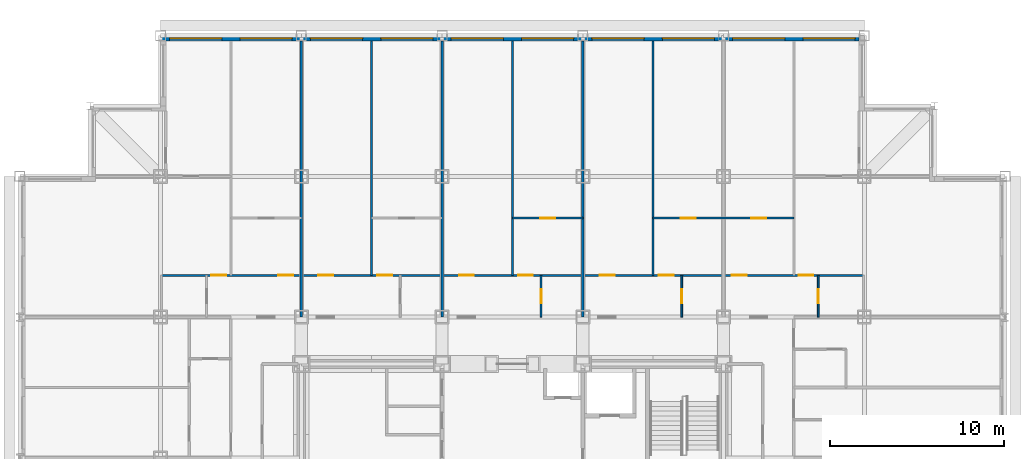
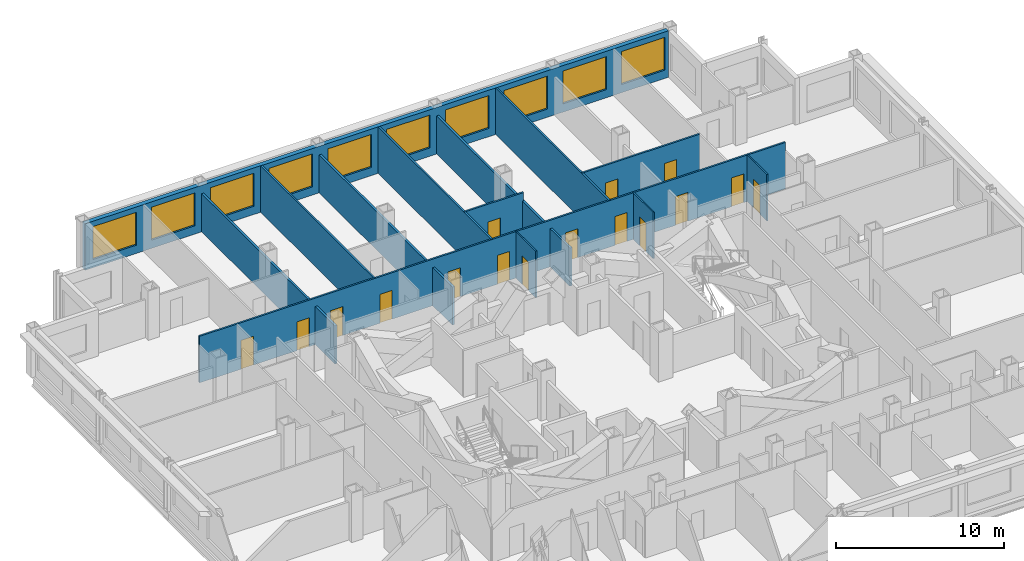
# One storey, part 10 of 12: 16 doors, 13 walls, 10 windows, 26 openings.
"""IFC4 building model written with IfcOpenShell, lengths in metres."""

from ifc_helpers import new_model, si_unit, direction, frame, frame_2d, origin, place, context, subcontext, project, spatial, rectangle, extrude, material, layer, layer_set, type_object, element, fill, save


model = new_model("IFC4")

# Units and contexts
model_context = context("Model", 3, precision=1e-05, world=origin(), true_north=direction((0.0, 1.0)))
body_context = subcontext(model_context, "Body", "Model", "MODEL_VIEW")
ifc_project = project(units=[si_unit("LENGTHUNIT", "METRE"), si_unit("AREAUNIT", "SQUARE_METRE"), si_unit("VOLUMEUNIT", "CUBIC_METRE"), si_unit("PLANEANGLEUNIT", "RADIAN"), si_unit("MASSUNIT", "GRAM", prefix="KILO")], contexts=[model_context])

# Site, building, storey
site_placement = place(None, origin())
site = spatial("IfcSite", under=ifc_project, at=site_placement, CompositionType="ELEMENT")
building_placement = place(site_placement, origin())
building = spatial("IfcBuilding", under=site, at=building_placement, Name="Kopane Lantern Tower", CompositionType="ELEMENT")
storey_placement = place(building_placement, frame((0.0, 0.0, 174.0)))
storey = spatial("IfcBuildingStorey", under=building, at=storey_placement, Name="L44", CompositionType="ELEMENT", Elevation=174.0)

# Walls
ifc_material_1 = material(Name="Gypsum board on steel studs", Category="steel")
ifc_layer_1 = layer(ifc_material_1, 0.1201171875)
ifc_layer_set_1 = layer_set([ifc_layer_1], Name="APARTMENT INTERNAL WALL 120")
wall_type_1 = type_object("IfcWallType", Name="APARTMENT INTERNAL WALL 120", PredefinedType="PARTITIONING", material=ifc_layer_set_1)
for number, where, z_axis, x_axis, name in (
    (1, (20.25, 45.60009765625, 0.0), (0.0, 0.0, 1.0), (0.0, 1.0, 0.0), "Apartment Internal Wall 120 L44"),
    (2, (28.35009765625, 45.60009765625, 0.0), (0.0, 0.0, 1.0), (0.0, 1.0, 0.0), "Apartment Internal Wall 120 L44"),
    (3, (36.449951171875, 45.60009765625, 0.0), (0.0, 0.0, 1.0), (0.0, 1.0, 0.0), "Apartment Internal Wall 120 L44"),
):
    element("IfcWall", number, at=place(storey_placement, frame(where, z_axis=z_axis, x_axis=x_axis)), inside=storey, type_object=wall_type_1, Name=name, PredefinedType="PARTITIONING", context=body_context, shape_type="SweptSolid", body=[
        extrude(rectangle(XDim=13.5, YDim=0.1201171875, at=frame_2d((6.75, 0.0))), origin(), (0.0, 0.0, 1.0), 3.389892578125),
    ])

# Wall, openings, doors
wall_1_placement = place(storey_placement, frame((8.14990234375, 45.60009765625, 0.0), z_axis=(0.0, 0.0, 1.0), x_axis=(1.0, 0.0, 0.0)))
wall_1 = element("IfcWall", 4, at=wall_1_placement, inside=storey, type_object=wall_type_1, Name="Apartment Internal Wall 120 L44", PredefinedType="PARTITIONING", context=body_context, shape_type="SweptSolid", body=[
    extrude(rectangle(XDim=40.400146484375, YDim=0.1201171875, at=frame_2d((20.2001953125, 0.0))), origin(), (0.0, 0.0, 1.0), 3.389892578125),
])
opening_1_placement = place(wall_1_placement, frame((9.02490234375, 0.0, 0.0)))
opening_1 = element("IfcOpeningElement", 5, at=opening_1_placement, cuts=wall_1, Name="Opening L44-022", PredefinedType="OPENING", context=body_context, shape_type="SweptSolid", body=[
    extrude(rectangle(XDim=0.85009765625, YDim=2.10009765625, at=frame_2d((0.425048828125, 1.050048828125))), frame((0.0, 0.070068359375, 0.0), z_axis=(0.0, -1.0, 0.0), x_axis=(1.0, 0.0, 0.0)), (0.0, 0.0, 1.0), 0.14013671875),
])
opening_2_placement = place(wall_1_placement, frame((12.425048828125, 0.0, 0.0)))
opening_2 = element("IfcOpeningElement", 6, at=opening_2_placement, cuts=wall_1, Name="Opening L44-023", PredefinedType="OPENING", context=body_context, shape_type="SweptSolid", body=[
    extrude(rectangle(XDim=0.85009765625, YDim=2.10009765625, at=frame_2d((0.425048828125, 1.050048828125))), frame((0.0, 0.070068359375, 0.0), z_axis=(0.0, -1.0, 0.0), x_axis=(1.0, 0.0, 0.0)), (0.0, 0.0, 1.0), 0.14013671875),
])
opening_3_placement = place(wall_1_placement, frame((17.125, 0.0, 0.0)))
opening_3 = element("IfcOpeningElement", 7, at=opening_3_placement, cuts=wall_1, Name="Opening L44-026", PredefinedType="OPENING", context=body_context, shape_type="SweptSolid", body=[
    extrude(rectangle(XDim=0.85009765625, YDim=2.10009765625, at=frame_2d((0.425048828125, 1.050048828125))), frame((0.0, 0.070068359375, 0.0), z_axis=(0.0, -1.0, 0.0), x_axis=(1.0, 0.0, 0.0)), (0.0, 0.0, 1.0), 0.14013671875),
])
opening_4_placement = place(wall_1_placement, frame((20.52490234375, 0.0, 0.0)))
opening_4 = element("IfcOpeningElement", 8, at=opening_4_placement, cuts=wall_1, Name="Opening L44-027", PredefinedType="OPENING", context=body_context, shape_type="SweptSolid", body=[
    extrude(rectangle(XDim=0.85009765625, YDim=2.10009765625, at=frame_2d((0.425048828125, 1.050048828125))), frame((0.0, 0.070068359375, 0.0), z_axis=(0.0, -1.0, 0.0), x_axis=(1.0, 0.0, 0.0)), (0.0, 0.0, 1.0), 0.14013671875),
])
opening_5_placement = place(wall_1_placement, frame((25.22509765625, 0.0, 0.0)))
opening_5 = element("IfcOpeningElement", 9, at=opening_5_placement, cuts=wall_1, Name="Opening L44-030", PredefinedType="OPENING", context=body_context, shape_type="SweptSolid", body=[
    extrude(rectangle(XDim=0.85009765625, YDim=2.10009765625, at=frame_2d((0.425048828125, 1.050048828125))), frame((0.0, 0.070068359375, 0.0), z_axis=(0.0, -1.0, 0.0), x_axis=(1.0, 0.0, 0.0)), (0.0, 0.0, 1.0), 0.14013671875),
])
opening_6_placement = place(wall_1_placement, frame((28.625, 0.0, 0.0)))
opening_6 = element("IfcOpeningElement", 10, at=opening_6_placement, cuts=wall_1, Name="Opening L44-031", PredefinedType="OPENING", context=body_context, shape_type="SweptSolid", body=[
    extrude(rectangle(XDim=0.85009765625, YDim=2.10009765625, at=frame_2d((0.425048828125, 1.050048828125))), frame((0.0, 0.070068359375, 0.0), z_axis=(0.0, -1.0, 0.0), x_axis=(1.0, 0.0, 0.0)), (0.0, 0.0, 1.0), 0.14013671875),
])
opening_7_placement = place(wall_1_placement, frame((32.824951171875, 0.0, 0.0)))
opening_7 = element("IfcOpeningElement", 11, at=opening_7_placement, cuts=wall_1, Name="Opening L44-063", PredefinedType="OPENING", context=body_context, shape_type="SweptSolid", body=[
    extrude(rectangle(XDim=0.85009765625, YDim=2.10009765625, at=frame_2d((0.425048828125, 1.050048828125))), frame((0.0, 0.070068359375, 0.0), z_axis=(0.0, -1.0, 0.0), x_axis=(1.0, 0.0, 0.0)), (0.0, 0.0, 1.0), 0.14013671875),
])
opening_8_placement = place(wall_1_placement, frame((36.675048828125, 0.0, 0.0)))
opening_8 = element("IfcOpeningElement", 12, at=opening_8_placement, cuts=wall_1, Name="Opening L44-065", PredefinedType="OPENING", context=body_context, shape_type="SweptSolid", body=[
    extrude(rectangle(XDim=0.85009765625, YDim=2.10009765625, at=frame_2d((0.425048828125, 1.050048828125))), frame((0.0, 0.070068359375, 0.0), z_axis=(0.0, -1.0, 0.0), x_axis=(1.0, 0.0, 0.0)), (0.0, 0.0, 1.0), 0.14013671875),
])
opening_9_placement = place(wall_1_placement, frame((6.72509765625, 0.0, 0.0)))
opening_9 = element("IfcOpeningElement", 13, at=opening_9_placement, cuts=wall_1, Name="Opening L44-068", PredefinedType="OPENING", context=body_context, shape_type="SweptSolid", body=[
    extrude(rectangle(XDim=0.85009765625, YDim=2.10009765625, at=frame_2d((0.425048828125, 1.050048828125))), frame((0.0, 0.070068359375, 0.0), z_axis=(0.0, -1.0, 0.0), x_axis=(1.0, 0.0, 0.0)), (0.0, 0.0, 1.0), 0.14013671875),
])
opening_10_placement = place(wall_1_placement, frame((2.875, 0.0, 0.0)))
opening_10 = element("IfcOpeningElement", 14, at=opening_10_placement, cuts=wall_1, Name="Opening L44-070", PredefinedType="OPENING", context=body_context, shape_type="SweptSolid", body=[
    extrude(rectangle(XDim=0.85009765625, YDim=2.10009765625, at=frame_2d((0.425048828125, 1.050048828125))), frame((0.0, 0.070068359375, 0.0), z_axis=(0.0, -1.0, 0.0), x_axis=(1.0, 0.0, 0.0)), (0.0, 0.0, 1.0), 0.14013671875),
])
ifc_material_2 = material(Name="Timber door set", Category="wood")
door_type_1 = type_object("IfcDoorType", Name="DOOR D4 850x2100", OperationType="SINGLE_SWING_LEFT", PredefinedType="DOOR", material=ifc_material_2)
door_1_placement = place(opening_1_placement, origin())
door_1 = element("IfcDoor", 15, at=door_1_placement, inside=storey, type_object=door_type_1, Name="Door L44-022", OperationType="SINGLE_SWING_RIGHT", OverallHeight=2.10009765625, OverallWidth=0.85009765625, PredefinedType="DOOR", context=body_context, shape_type="SweptSolid", body=[
    extrude(rectangle(XDim=0.85009765625, YDim=2.10009765625, at=frame_2d((0.425048828125, 1.050048828125))), frame((0.0, 0.02490234375, 0.0), z_axis=(0.0, -1.0, 0.0), x_axis=(1.0, 0.0, 0.0)), (0.0, 0.0, 1.0), 0.050048828125),
])
fill(opening_1, door_1)
door_2_placement = place(opening_2_placement, origin())
door_2 = element("IfcDoor", 16, at=door_2_placement, inside=storey, type_object=door_type_1, Name="Door L44-023", OperationType="SINGLE_SWING_LEFT", OverallHeight=2.10009765625, OverallWidth=0.85009765625, PredefinedType="DOOR", context=body_context, shape_type="SweptSolid", body=[
    extrude(rectangle(XDim=0.85009765625, YDim=2.10009765625, at=frame_2d((0.425048828125, 1.050048828125))), frame((0.0, 0.02490234375, 0.0), z_axis=(0.0, -1.0, 0.0), x_axis=(1.0, 0.0, 0.0)), (0.0, 0.0, 1.0), 0.050048828125),
])
fill(opening_2, door_2)
door_3_placement = place(opening_3_placement, origin())
door_3 = element("IfcDoor", 17, at=door_3_placement, inside=storey, type_object=door_type_1, Name="Door L44-026", OperationType="SINGLE_SWING_RIGHT", OverallHeight=2.10009765625, OverallWidth=0.85009765625, PredefinedType="DOOR", context=body_context, shape_type="SweptSolid", body=[
    extrude(rectangle(XDim=0.85009765625, YDim=2.10009765625, at=frame_2d((0.425048828125, 1.050048828125))), frame((0.0, 0.02490234375, 0.0), z_axis=(0.0, -1.0, 0.0), x_axis=(1.0, 0.0, 0.0)), (0.0, 0.0, 1.0), 0.050048828125),
])
fill(opening_3, door_3)
door_4_placement = place(opening_4_placement, origin())
door_4 = element("IfcDoor", 18, at=door_4_placement, inside=storey, type_object=door_type_1, Name="Door L44-027", OperationType="SINGLE_SWING_LEFT", OverallHeight=2.10009765625, OverallWidth=0.85009765625, PredefinedType="DOOR", context=body_context, shape_type="SweptSolid", body=[
    extrude(rectangle(XDim=0.85009765625, YDim=2.10009765625, at=frame_2d((0.425048828125, 1.050048828125))), frame((0.0, 0.02490234375, 0.0), z_axis=(0.0, -1.0, 0.0), x_axis=(1.0, 0.0, 0.0)), (0.0, 0.0, 1.0), 0.050048828125),
])
fill(opening_4, door_4)
door_5_placement = place(opening_5_placement, origin())
door_5 = element("IfcDoor", 19, at=door_5_placement, inside=storey, type_object=door_type_1, Name="Door L44-030", OperationType="SINGLE_SWING_RIGHT", OverallHeight=2.10009765625, OverallWidth=0.85009765625, PredefinedType="DOOR", context=body_context, shape_type="SweptSolid", body=[
    extrude(rectangle(XDim=0.85009765625, YDim=2.10009765625, at=frame_2d((0.425048828125, 1.050048828125))), frame((0.0, 0.02490234375, 0.0), z_axis=(0.0, -1.0, 0.0), x_axis=(1.0, 0.0, 0.0)), (0.0, 0.0, 1.0), 0.050048828125),
])
fill(opening_5, door_5)
door_6_placement = place(opening_6_placement, origin())
door_6 = element("IfcDoor", 20, at=door_6_placement, inside=storey, type_object=door_type_1, Name="Door L44-031", OperationType="SINGLE_SWING_LEFT", OverallHeight=2.10009765625, OverallWidth=0.85009765625, PredefinedType="DOOR", context=body_context, shape_type="SweptSolid", body=[
    extrude(rectangle(XDim=0.85009765625, YDim=2.10009765625, at=frame_2d((0.425048828125, 1.050048828125))), frame((0.0, 0.02490234375, 0.0), z_axis=(0.0, -1.0, 0.0), x_axis=(1.0, 0.0, 0.0)), (0.0, 0.0, 1.0), 0.050048828125),
])
fill(opening_6, door_6)
door_7_placement = place(opening_7_placement, origin())
door_7 = element("IfcDoor", 21, at=door_7_placement, inside=storey, type_object=door_type_1, Name="Door L44-063", OperationType="SINGLE_SWING_RIGHT", OverallHeight=2.10009765625, OverallWidth=0.85009765625, PredefinedType="DOOR", context=body_context, shape_type="SweptSolid", body=[
    extrude(rectangle(XDim=0.85009765625, YDim=2.10009765625, at=frame_2d((0.425048828125, 1.050048828125))), frame((0.0, 0.02490234375, 0.0), z_axis=(0.0, -1.0, 0.0), x_axis=(1.0, 0.0, 0.0)), (0.0, 0.0, 1.0), 0.050048828125),
])
fill(opening_7, door_7)
door_8_placement = place(opening_8_placement, origin())
door_8 = element("IfcDoor", 22, at=door_8_placement, inside=storey, type_object=door_type_1, Name="Door L44-065", OperationType="SINGLE_SWING_LEFT", OverallHeight=2.10009765625, OverallWidth=0.85009765625, PredefinedType="DOOR", context=body_context, shape_type="SweptSolid", body=[
    extrude(rectangle(XDim=0.85009765625, YDim=2.10009765625, at=frame_2d((0.425048828125, 1.050048828125))), frame((0.0, 0.02490234375, 0.0), z_axis=(0.0, -1.0, 0.0), x_axis=(1.0, 0.0, 0.0)), (0.0, 0.0, 1.0), 0.050048828125),
])
fill(opening_8, door_8)
door_9_placement = place(opening_9_placement, origin())
door_9 = element("IfcDoor", 23, at=door_9_placement, inside=storey, type_object=door_type_1, Name="Door L44-068", OperationType="SINGLE_SWING_LEFT", OverallHeight=2.10009765625, OverallWidth=0.85009765625, PredefinedType="DOOR", context=body_context, shape_type="SweptSolid", body=[
    extrude(rectangle(XDim=0.85009765625, YDim=2.10009765625, at=frame_2d((0.425048828125, 1.050048828125))), frame((0.0, 0.02490234375, 0.0), z_axis=(0.0, -1.0, 0.0), x_axis=(1.0, 0.0, 0.0)), (0.0, 0.0, 1.0), 0.050048828125),
])
fill(opening_9, door_9)
door_10_placement = place(opening_10_placement, origin())
door_10 = element("IfcDoor", 24, at=door_10_placement, inside=storey, type_object=door_type_1, Name="Door L44-070", OperationType="SINGLE_SWING_RIGHT", OverallHeight=2.10009765625, OverallWidth=0.85009765625, PredefinedType="DOOR", context=body_context, shape_type="SweptSolid", body=[
    extrude(rectangle(XDim=0.85009765625, YDim=2.10009765625, at=frame_2d((0.425048828125, 1.050048828125))), frame((0.0, 0.02490234375, 0.0), z_axis=(0.0, -1.0, 0.0), x_axis=(1.0, 0.0, 0.0)), (0.0, 0.0, 1.0), 0.050048828125),
])
fill(opening_10, door_10)

# Wall, opening, door
wall_2_placement = place(storey_placement, frame((28.35009765625, 48.89990234375, 0.0), z_axis=(0.0, 0.0, 1.0), x_axis=(1.0, 0.0, 0.0)))
wall_2 = element("IfcWall", 25, at=wall_2_placement, inside=storey, type_object=wall_type_1, Name="Apartment Internal Wall 120 L44", PredefinedType="PARTITIONING", context=body_context, shape_type="SweptSolid", body=[
    extrude(rectangle(XDim=4.0498046875, YDim=0.1201171875, at=frame_2d((2.02490234375, 0.0))), origin(), (0.0, 0.0, 1.0), 3.389892578125),
])
opening_11_placement = place(wall_2_placement, frame((1.60009765625, 0.0, 0.0)))
opening_11 = element("IfcOpeningElement", 26, at=opening_11_placement, cuts=wall_2, Name="Opening L44-075", PredefinedType="OPENING", context=body_context, shape_type="SweptSolid", body=[
    extrude(rectangle(XDim=0.85009765625, YDim=2.10009765625, at=frame_2d((0.425048828125, 1.050048828125))), frame((0.0, 0.070068359375, 0.0), z_axis=(0.0, -1.0, 0.0), x_axis=(1.0, 0.0, 0.0)), (0.0, 0.0, 1.0), 0.14013671875),
])
door_11_placement = place(opening_11_placement, origin())
door_11 = element("IfcDoor", 27, at=door_11_placement, inside=storey, type_object=door_type_1, Name="Door L44-075", OperationType="SINGLE_SWING_RIGHT", OverallHeight=2.10009765625, OverallWidth=0.85009765625, PredefinedType="DOOR", context=body_context, shape_type="SweptSolid", body=[
    extrude(rectangle(XDim=0.85009765625, YDim=2.10009765625, at=frame_2d((0.425048828125, 1.050048828125))), frame((0.0, 0.02490234375, 0.0), z_axis=(0.0, -1.0, 0.0), x_axis=(1.0, 0.0, 0.0)), (0.0, 0.0, 1.0), 0.050048828125),
])
fill(opening_11, door_11)

# Wall, openings, doors
wall_3_placement = place(storey_placement, frame((36.449951171875, 48.89990234375, 0.0), z_axis=(0.0, 0.0, 1.0), x_axis=(1.0, 0.0, 0.0)))
wall_3 = element("IfcWall", 28, at=wall_3_placement, inside=storey, type_object=wall_type_1, Name="Apartment Internal Wall 120 L44", PredefinedType="PARTITIONING", context=body_context, shape_type="SweptSolid", body=[
    extrude(rectangle(XDim=8.10009765625, YDim=0.1201171875, at=frame_2d((4.050048828125, 0.0))), origin(), (0.0, 0.0, 1.0), 3.389892578125),
])
opening_12_placement = place(wall_3_placement, frame((1.60009765625, 0.0, 0.0)))
opening_12 = element("IfcOpeningElement", 29, at=opening_12_placement, cuts=wall_3, Name="Opening L44-076", PredefinedType="OPENING", context=body_context, shape_type="SweptSolid", body=[
    extrude(rectangle(XDim=0.85009765625, YDim=2.10009765625, at=frame_2d((0.425048828125, 1.050048828125))), frame((0.0, 0.070068359375, 0.0), z_axis=(0.0, -1.0, 0.0), x_axis=(1.0, 0.0, 0.0)), (0.0, 0.0, 1.0), 0.14013671875),
])
opening_13_placement = place(wall_3_placement, frame((5.64990234375, 0.0, 0.0)))
opening_13 = element("IfcOpeningElement", 30, at=opening_13_placement, cuts=wall_3, Name="Opening L44-077", PredefinedType="OPENING", context=body_context, shape_type="SweptSolid", body=[
    extrude(rectangle(XDim=0.85009765625, YDim=2.10009765625, at=frame_2d((0.425048828125, 1.050048828125))), frame((0.0, 0.070068359375, 0.0), z_axis=(0.0, -1.0, 0.0), x_axis=(1.0, 0.0, 0.0)), (0.0, 0.0, 1.0), 0.14013671875),
])
door_12_placement = place(opening_12_placement, origin())
door_12 = element("IfcDoor", 31, at=door_12_placement, inside=storey, type_object=door_type_1, Name="Door L44-076", OperationType="SINGLE_SWING_RIGHT", OverallHeight=2.10009765625, OverallWidth=0.85009765625, PredefinedType="DOOR", context=body_context, shape_type="SweptSolid", body=[
    extrude(rectangle(XDim=0.85009765625, YDim=2.10009765625, at=frame_2d((0.425048828125, 1.050048828125))), frame((0.0, 0.02490234375, 0.0), z_axis=(0.0, -1.0, 0.0), x_axis=(1.0, 0.0, 0.0)), (0.0, 0.0, 1.0), 0.050048828125),
])
fill(opening_12, door_12)
door_13_placement = place(opening_13_placement, origin())
door_13 = element("IfcDoor", 32, at=door_13_placement, inside=storey, type_object=door_type_1, Name="Door L44-077", OperationType="SINGLE_SWING_LEFT", OverallHeight=2.10009765625, OverallWidth=0.85009765625, PredefinedType="DOOR", context=body_context, shape_type="SweptSolid", body=[
    extrude(rectangle(XDim=0.85009765625, YDim=2.10009765625, at=frame_2d((0.425048828125, 1.050048828125))), frame((0.0, 0.02490234375, 0.0), z_axis=(0.0, -1.0, 0.0), x_axis=(1.0, 0.0, 0.0)), (0.0, 0.0, 1.0), 0.050048828125),
])
fill(opening_13, door_13)

# Wall, opening, door
ifc_material_3 = material(Name="Moisture-resistant board on steel studs", Category="steel")
ifc_layer_2 = layer(ifc_material_3, 0.10009765625)
ifc_layer_set_2 = layer_set([ifc_layer_2], Name="BATHROOM WALL 100")
wall_type_2 = type_object("IfcWallType", Name="BATHROOM WALL 100", PredefinedType="PARTITIONING", material=ifc_layer_set_2)
wall_4_placement = place(storey_placement, frame((30.0, 43.199951171875, 0.0), z_axis=(0.0, 0.0, 1.0), x_axis=(0.0, 1.0, 0.0)))
wall_4 = element("IfcWall", 33, at=wall_4_placement, inside=storey, type_object=wall_type_2, Name="Bathroom Wall 100 L44", PredefinedType="PARTITIONING", context=body_context, shape_type="SweptSolid", body=[
    extrude(rectangle(XDim=2.400146484375, YDim=0.10009765625, at=frame_2d((1.2001953125, 0.0))), origin(), (0.0, 0.0, 1.0), 3.389892578125),
])
opening_14_placement = place(wall_4_placement, frame((0.800048828125, 0.0, 0.0)))
opening_14 = element("IfcOpeningElement", 34, at=opening_14_placement, cuts=wall_4, Name="Opening L44-024", PredefinedType="OPENING", context=body_context, shape_type="SweptSolid", body=[
    extrude(rectangle(XDim=0.800048828125, YDim=2.10009765625, at=frame_2d((0.39990234375, 1.050048828125))), frame((0.0, 0.06005859375, 0.0), z_axis=(0.0, -1.0, 0.0), x_axis=(1.0, 0.0, 0.0)), (0.0, 0.0, 1.0), 0.1201171875),
])
ifc_material_4 = material(Name="Timber door set", Category="wood")
door_type_2 = type_object("IfcDoorType", Name="DOOR D2 800x2100", OperationType="SINGLE_SWING_LEFT", PredefinedType="DOOR", material=ifc_material_4)
door_14_placement = place(opening_14_placement, origin())
door_14 = element("IfcDoor", 35, at=door_14_placement, inside=storey, type_object=door_type_2, Name="Door L44-024", OperationType="SINGLE_SWING_RIGHT", OverallHeight=2.10009765625, OverallWidth=0.800048828125, PredefinedType="DOOR", context=body_context, shape_type="SweptSolid", body=[
    extrude(rectangle(XDim=0.800048828125, YDim=2.10009765625, at=frame_2d((0.39990234375, 1.050048828125))), frame((0.0, 0.02490234375, 0.0), z_axis=(0.0, -1.0, 0.0), x_axis=(1.0, 0.0, 0.0)), (0.0, 0.0, 1.0), 0.050048828125),
])
fill(opening_14, door_14)

wall_5_placement = place(storey_placement, frame((38.10009765625, 43.199951171875, 0.0), z_axis=(0.0, 0.0, 1.0), x_axis=(0.0, 1.0, 0.0)))
wall_5 = element("IfcWall", 36, at=wall_5_placement, inside=storey, type_object=wall_type_2, Name="Bathroom Wall 100 L44", PredefinedType="PARTITIONING", context=body_context, shape_type="SweptSolid", body=[
    extrude(rectangle(XDim=2.400146484375, YDim=0.10009765625, at=frame_2d((1.2001953125, 0.0))), origin(), (0.0, 0.0, 1.0), 3.389892578125),
])
opening_15_placement = place(wall_5_placement, frame((0.800048828125, 0.0, 0.0)))
opening_15 = element("IfcOpeningElement", 37, at=opening_15_placement, cuts=wall_5, Name="Opening L44-028", PredefinedType="OPENING", context=body_context, shape_type="SweptSolid", body=[
    extrude(rectangle(XDim=0.800048828125, YDim=2.10009765625, at=frame_2d((0.39990234375, 1.050048828125))), frame((0.0, 0.06005859375, 0.0), z_axis=(0.0, -1.0, 0.0), x_axis=(1.0, 0.0, 0.0)), (0.0, 0.0, 1.0), 0.1201171875),
])
door_15_placement = place(opening_15_placement, origin())
door_15 = element("IfcDoor", 38, at=door_15_placement, inside=storey, type_object=door_type_2, Name="Door L44-028", OperationType="SINGLE_SWING_RIGHT", OverallHeight=2.10009765625, OverallWidth=0.800048828125, PredefinedType="DOOR", context=body_context, shape_type="SweptSolid", body=[
    extrude(rectangle(XDim=0.800048828125, YDim=2.10009765625, at=frame_2d((0.39990234375, 1.050048828125))), frame((0.0, 0.02490234375, 0.0), z_axis=(0.0, -1.0, 0.0), x_axis=(1.0, 0.0, 0.0)), (0.0, 0.0, 1.0), 0.050048828125),
])
fill(opening_15, door_15)

wall_6_placement = place(storey_placement, frame((45.949951171875, 43.199951171875, 0.0), z_axis=(0.0, 0.0, 1.0), x_axis=(0.0, 1.0, 0.0)))
wall_6 = element("IfcWall", 39, at=wall_6_placement, inside=storey, type_object=wall_type_2, Name="Bathroom Wall 100 L44", PredefinedType="PARTITIONING", context=body_context, shape_type="SweptSolid", body=[
    extrude(rectangle(XDim=2.400146484375, YDim=0.10009765625, at=frame_2d((1.2001953125, 0.0))), origin(), (0.0, 0.0, 1.0), 3.389892578125),
])
opening_16_placement = place(wall_6_placement, frame((0.800048828125, 0.0, 0.0)))
opening_16 = element("IfcOpeningElement", 40, at=opening_16_placement, cuts=wall_6, Name="Opening L44-064", PredefinedType="OPENING", context=body_context, shape_type="SweptSolid", body=[
    extrude(rectangle(XDim=0.800048828125, YDim=2.10009765625, at=frame_2d((0.39990234375, 1.050048828125))), frame((0.0, 0.06005859375, 0.0), z_axis=(0.0, -1.0, 0.0), x_axis=(1.0, 0.0, 0.0)), (0.0, 0.0, 1.0), 0.1201171875),
])
door_16_placement = place(opening_16_placement, origin())
door_16 = element("IfcDoor", 41, at=door_16_placement, inside=storey, type_object=door_type_2, Name="Door L44-064", OperationType="SINGLE_SWING_RIGHT", OverallHeight=2.10009765625, OverallWidth=0.800048828125, PredefinedType="DOOR", context=body_context, shape_type="SweptSolid", body=[
    extrude(rectangle(XDim=0.800048828125, YDim=2.10009765625, at=frame_2d((0.39990234375, 1.050048828125))), frame((0.0, 0.02490234375, 0.0), z_axis=(0.0, -1.0, 0.0), x_axis=(1.0, 0.0, 0.0)), (0.0, 0.0, 1.0), 0.050048828125),
])
fill(opening_16, door_16)

# Walls
ifc_material_5 = material(Name="Gypsum board on steel studs", Category="steel")
ifc_layer_3 = layer(ifc_material_5, 0.14990234375)
ifc_layer_set_3 = layer_set([ifc_layer_3], Name="DEMISING WALL 150 EI 60")
wall_type_3 = type_object("IfcWallType", Name="DEMISING WALL 150 EI 60", PredefinedType="PARTITIONING", material=ifc_layer_set_3)
for number, where, z_axis, x_axis, name in (
    (42, (24.300048828125, 43.199951171875, 0.0), (0.0, 0.0, 1.0), (0.0, 1.0, 0.0), "Demising Wall 150 Ei 60 L44"),
    (43, (32.39990234375, 43.199951171875, 0.0), (0.0, 0.0, 1.0), (0.0, 1.0, 0.0), "Demising Wall 150 Ei 60 L44"),
    (44, (16.199951171875, 43.199951171875, 0.0), (0.0, 0.0, 1.0), (0.0, 1.0, 0.0), "Demising Wall 150 Ei 60 L44"),
):
    element("IfcWall", number, at=place(storey_placement, frame(where, z_axis=z_axis, x_axis=x_axis)), inside=storey, type_object=wall_type_3, Name=name, PredefinedType="PARTITIONING", context=body_context, shape_type="SweptSolid", body=[
        extrude(rectangle(XDim=15.900146484375, YDim=0.14990234375, at=frame_2d((7.9501953125, 0.0))), origin(), (0.0, 0.0, 1.0), 2.77783203125),
    ])

# Wall, openings, windows
ifc_material_6 = material(Name="Terracotta rainscreen on light steel framing", Category="masonry")
ifc_layer_4 = layer(ifc_material_6, 0.300048828125)
ifc_layer_set_4 = layer_set([ifc_layer_4], Name="EXTERNAL WALL EW1 300 TERRACOTTA")
wall_type_4 = type_object("IfcWallType", Name="EXTERNAL WALL EW1 300 TERRACOTTA", PredefinedType="SOLIDWALL", material=ifc_layer_set_4)
wall_7_placement = place(storey_placement, frame((48.300048828125, 59.25, 0.0), z_axis=(0.0, 0.0, 1.0), x_axis=(-1.0, 0.0, 0.0)))
wall_7 = element("IfcWall", 45, at=wall_7_placement, inside=storey, type_object=wall_type_4, Name="External wall N L44", PredefinedType="SOLIDWALL", context=body_context, shape_type="SweptSolid", body=[
    extrude(rectangle(XDim=40.199951171875, YDim=0.300048828125, at=frame_2d((20.10009765625, 0.0))), origin(), (0.0, 0.0, 1.0), 3.389892578125),
])
opening_17_placement = place(wall_7_placement, frame((0.22509765625, 0.0, 0.60009765625)))
opening_17 = element("IfcOpeningElement", 46, at=opening_17_placement, cuts=wall_7, Name="Opening WR300240", PredefinedType="OPENING", context=body_context, shape_type="SweptSolid", body=[
    extrude(rectangle(XDim=3.0, YDim=2.39990234375, at=frame_2d((1.5, 1.199951171875))), frame((0.0, 0.159912109375, 0.0), z_axis=(0.0, -1.0, 0.0), x_axis=(1.0, 0.0, 0.0)), (0.0, 0.0, 1.0), 0.320068359375),
])
opening_18_placement = place(wall_7_placement, frame((4.27490234375, 0.0, 0.60009765625)))
opening_18 = element("IfcOpeningElement", 47, at=opening_18_placement, cuts=wall_7, Name="Opening WR300240", PredefinedType="OPENING", context=body_context, shape_type="SweptSolid", body=[
    extrude(rectangle(XDim=3.0, YDim=2.39990234375, at=frame_2d((1.5, 1.199951171875))), frame((0.0, 0.159912109375, 0.0), z_axis=(0.0, -1.0, 0.0), x_axis=(1.0, 0.0, 0.0)), (0.0, 0.0, 1.0), 0.320068359375),
])
opening_19_placement = place(wall_7_placement, frame((8.324951171875, 0.0, 0.60009765625)))
opening_19 = element("IfcOpeningElement", 48, at=opening_19_placement, cuts=wall_7, Name="Opening WR300240", PredefinedType="OPENING", context=body_context, shape_type="SweptSolid", body=[
    extrude(rectangle(XDim=3.0, YDim=2.39990234375, at=frame_2d((1.5, 1.199951171875))), frame((0.0, 0.159912109375, 0.0), z_axis=(0.0, -1.0, 0.0), x_axis=(1.0, 0.0, 0.0)), (0.0, 0.0, 1.0), 0.320068359375),
])
opening_20_placement = place(wall_7_placement, frame((12.375, 0.0, 0.60009765625)))
opening_20 = element("IfcOpeningElement", 49, at=opening_20_placement, cuts=wall_7, Name="Opening WR300240", PredefinedType="OPENING", context=body_context, shape_type="SweptSolid", body=[
    extrude(rectangle(XDim=3.0, YDim=2.39990234375, at=frame_2d((1.5, 1.199951171875))), frame((0.0, 0.159912109375, 0.0), z_axis=(0.0, -1.0, 0.0), x_axis=(1.0, 0.0, 0.0)), (0.0, 0.0, 1.0), 0.320068359375),
])
opening_21_placement = place(wall_7_placement, frame((16.425048828125, 0.0, 0.60009765625)))
opening_21 = element("IfcOpeningElement", 50, at=opening_21_placement, cuts=wall_7, Name="Opening WR300240", PredefinedType="OPENING", context=body_context, shape_type="SweptSolid", body=[
    extrude(rectangle(XDim=3.0, YDim=2.39990234375, at=frame_2d((1.5, 1.199951171875))), frame((0.0, 0.159912109375, 0.0), z_axis=(0.0, -1.0, 0.0), x_axis=(1.0, 0.0, 0.0)), (0.0, 0.0, 1.0), 0.320068359375),
])
opening_22_placement = place(wall_7_placement, frame((20.47509765625, 0.0, 0.60009765625)))
opening_22 = element("IfcOpeningElement", 51, at=opening_22_placement, cuts=wall_7, Name="Opening WR300240", PredefinedType="OPENING", context=body_context, shape_type="SweptSolid", body=[
    extrude(rectangle(XDim=3.0, YDim=2.39990234375, at=frame_2d((1.5, 1.199951171875))), frame((0.0, 0.159912109375, 0.0), z_axis=(0.0, -1.0, 0.0), x_axis=(1.0, 0.0, 0.0)), (0.0, 0.0, 1.0), 0.320068359375),
])
opening_23_placement = place(wall_7_placement, frame((24.52490234375, 0.0, 0.60009765625)))
opening_23 = element("IfcOpeningElement", 52, at=opening_23_placement, cuts=wall_7, Name="Opening WR300240", PredefinedType="OPENING", context=body_context, shape_type="SweptSolid", body=[
    extrude(rectangle(XDim=3.0, YDim=2.39990234375, at=frame_2d((1.5, 1.199951171875))), frame((0.0, 0.159912109375, 0.0), z_axis=(0.0, -1.0, 0.0), x_axis=(1.0, 0.0, 0.0)), (0.0, 0.0, 1.0), 0.320068359375),
])
opening_24_placement = place(wall_7_placement, frame((28.574951171875, 0.0, 0.60009765625)))
opening_24 = element("IfcOpeningElement", 53, at=opening_24_placement, cuts=wall_7, Name="Opening WR300240", PredefinedType="OPENING", context=body_context, shape_type="SweptSolid", body=[
    extrude(rectangle(XDim=3.0, YDim=2.39990234375, at=frame_2d((1.5, 1.199951171875))), frame((0.0, 0.159912109375, 0.0), z_axis=(0.0, -1.0, 0.0), x_axis=(1.0, 0.0, 0.0)), (0.0, 0.0, 1.0), 0.320068359375),
])
opening_25_placement = place(wall_7_placement, frame((32.625, 0.0, 0.60009765625)))
opening_25 = element("IfcOpeningElement", 54, at=opening_25_placement, cuts=wall_7, Name="Opening WR300240", PredefinedType="OPENING", context=body_context, shape_type="SweptSolid", body=[
    extrude(rectangle(XDim=3.0, YDim=2.39990234375, at=frame_2d((1.5, 1.199951171875))), frame((0.0, 0.159912109375, 0.0), z_axis=(0.0, -1.0, 0.0), x_axis=(1.0, 0.0, 0.0)), (0.0, 0.0, 1.0), 0.320068359375),
])
opening_26_placement = place(wall_7_placement, frame((36.675048828125, 0.0, 0.60009765625)))
opening_26 = element("IfcOpeningElement", 55, at=opening_26_placement, cuts=wall_7, Name="Opening WR300240", PredefinedType="OPENING", context=body_context, shape_type="SweptSolid", body=[
    extrude(rectangle(XDim=3.0, YDim=2.39990234375, at=frame_2d((1.5, 1.199951171875))), frame((0.0, 0.159912109375, 0.0), z_axis=(0.0, -1.0, 0.0), x_axis=(1.0, 0.0, 0.0)), (0.0, 0.0, 1.0), 0.320068359375),
])
ifc_material_7 = material(Name="Aluminium and clear glass", Category="aluminium")
window_type = type_object("IfcWindowType", Name="RIBBON WINDOW WR300240 3000x2400", PartitioningType="SINGLE_PANEL", PredefinedType="WINDOW", material=ifc_material_7)
window_1_placement = place(opening_17_placement, origin())
window_1 = element("IfcWindow", 56, at=window_1_placement, inside=storey, type_object=window_type, Name="Window N L44", OverallHeight=2.39990234375, OverallWidth=3.0, PartitioningType="SINGLE_PANEL", PredefinedType="WINDOW", context=body_context, shape_type="SweptSolid", body=[
    extrude(rectangle(XDim=3.0, YDim=2.39990234375, at=frame_2d((1.5, 1.199951171875))), frame((0.0, 0.030029296875, 0.0), z_axis=(0.0, -1.0, 0.0), x_axis=(1.0, 0.0, 0.0)), (0.0, 0.0, 1.0), 0.06005859375),
])
fill(opening_17, window_1)
window_2_placement = place(opening_18_placement, origin())
window_2 = element("IfcWindow", 57, at=window_2_placement, inside=storey, type_object=window_type, Name="Window N L44", OverallHeight=2.39990234375, OverallWidth=3.0, PartitioningType="SINGLE_PANEL", PredefinedType="WINDOW", context=body_context, shape_type="SweptSolid", body=[
    extrude(rectangle(XDim=3.0, YDim=2.39990234375, at=frame_2d((1.5, 1.199951171875))), frame((0.0, 0.030029296875, 0.0), z_axis=(0.0, -1.0, 0.0), x_axis=(1.0, 0.0, 0.0)), (0.0, 0.0, 1.0), 0.06005859375),
])
fill(opening_18, window_2)
window_3_placement = place(opening_19_placement, origin())
window_3 = element("IfcWindow", 58, at=window_3_placement, inside=storey, type_object=window_type, Name="Window N L44", OverallHeight=2.39990234375, OverallWidth=3.0, PartitioningType="SINGLE_PANEL", PredefinedType="WINDOW", context=body_context, shape_type="SweptSolid", body=[
    extrude(rectangle(XDim=3.0, YDim=2.39990234375, at=frame_2d((1.5, 1.199951171875))), frame((0.0, 0.030029296875, 0.0), z_axis=(0.0, -1.0, 0.0), x_axis=(1.0, 0.0, 0.0)), (0.0, 0.0, 1.0), 0.06005859375),
])
fill(opening_19, window_3)
window_4_placement = place(opening_20_placement, origin())
window_4 = element("IfcWindow", 59, at=window_4_placement, inside=storey, type_object=window_type, Name="Window N L44", OverallHeight=2.39990234375, OverallWidth=3.0, PartitioningType="SINGLE_PANEL", PredefinedType="WINDOW", context=body_context, shape_type="SweptSolid", body=[
    extrude(rectangle(XDim=3.0, YDim=2.39990234375, at=frame_2d((1.5, 1.199951171875))), frame((0.0, 0.030029296875, 0.0), z_axis=(0.0, -1.0, 0.0), x_axis=(1.0, 0.0, 0.0)), (0.0, 0.0, 1.0), 0.06005859375),
])
fill(opening_20, window_4)
window_5_placement = place(opening_21_placement, origin())
window_5 = element("IfcWindow", 60, at=window_5_placement, inside=storey, type_object=window_type, Name="Window N L44", OverallHeight=2.39990234375, OverallWidth=3.0, PartitioningType="SINGLE_PANEL", PredefinedType="WINDOW", context=body_context, shape_type="SweptSolid", body=[
    extrude(rectangle(XDim=3.0, YDim=2.39990234375, at=frame_2d((1.5, 1.199951171875))), frame((0.0, 0.030029296875, 0.0), z_axis=(0.0, -1.0, 0.0), x_axis=(1.0, 0.0, 0.0)), (0.0, 0.0, 1.0), 0.06005859375),
])
fill(opening_21, window_5)
window_6_placement = place(opening_22_placement, origin())
window_6 = element("IfcWindow", 61, at=window_6_placement, inside=storey, type_object=window_type, Name="Window N L44", OverallHeight=2.39990234375, OverallWidth=3.0, PartitioningType="SINGLE_PANEL", PredefinedType="WINDOW", context=body_context, shape_type="SweptSolid", body=[
    extrude(rectangle(XDim=3.0, YDim=2.39990234375, at=frame_2d((1.5, 1.199951171875))), frame((0.0, 0.030029296875, 0.0), z_axis=(0.0, -1.0, 0.0), x_axis=(1.0, 0.0, 0.0)), (0.0, 0.0, 1.0), 0.06005859375),
])
fill(opening_22, window_6)
window_7_placement = place(opening_23_placement, origin())
window_7 = element("IfcWindow", 62, at=window_7_placement, inside=storey, type_object=window_type, Name="Window N L44", OverallHeight=2.39990234375, OverallWidth=3.0, PartitioningType="SINGLE_PANEL", PredefinedType="WINDOW", context=body_context, shape_type="SweptSolid", body=[
    extrude(rectangle(XDim=3.0, YDim=2.39990234375, at=frame_2d((1.5, 1.199951171875))), frame((0.0, 0.030029296875, 0.0), z_axis=(0.0, -1.0, 0.0), x_axis=(1.0, 0.0, 0.0)), (0.0, 0.0, 1.0), 0.06005859375),
])
fill(opening_23, window_7)
window_8_placement = place(opening_24_placement, origin())
window_8 = element("IfcWindow", 63, at=window_8_placement, inside=storey, type_object=window_type, Name="Window N L44", OverallHeight=2.39990234375, OverallWidth=3.0, PartitioningType="SINGLE_PANEL", PredefinedType="WINDOW", context=body_context, shape_type="SweptSolid", body=[
    extrude(rectangle(XDim=3.0, YDim=2.39990234375, at=frame_2d((1.5, 1.199951171875))), frame((0.0, 0.030029296875, 0.0), z_axis=(0.0, -1.0, 0.0), x_axis=(1.0, 0.0, 0.0)), (0.0, 0.0, 1.0), 0.06005859375),
])
fill(opening_24, window_8)
window_9_placement = place(opening_25_placement, origin())
window_9 = element("IfcWindow", 64, at=window_9_placement, inside=storey, type_object=window_type, Name="Window N L44", OverallHeight=2.39990234375, OverallWidth=3.0, PartitioningType="SINGLE_PANEL", PredefinedType="WINDOW", context=body_context, shape_type="SweptSolid", body=[
    extrude(rectangle(XDim=3.0, YDim=2.39990234375, at=frame_2d((1.5, 1.199951171875))), frame((0.0, 0.030029296875, 0.0), z_axis=(0.0, -1.0, 0.0), x_axis=(1.0, 0.0, 0.0)), (0.0, 0.0, 1.0), 0.06005859375),
])
fill(opening_25, window_9)
window_10_placement = place(opening_26_placement, origin())
window_10 = element("IfcWindow", 65, at=window_10_placement, inside=storey, type_object=window_type, Name="Window N L44", OverallHeight=2.39990234375, OverallWidth=3.0, PartitioningType="SINGLE_PANEL", PredefinedType="WINDOW", context=body_context, shape_type="SweptSolid", body=[
    extrude(rectangle(XDim=3.0, YDim=2.39990234375, at=frame_2d((1.5, 1.199951171875))), frame((0.0, 0.030029296875, 0.0), z_axis=(0.0, -1.0, 0.0), x_axis=(1.0, 0.0, 0.0)), (0.0, 0.0, 1.0), 0.06005859375),
])
fill(opening_26, window_10)

save(model, "model.ifc")
